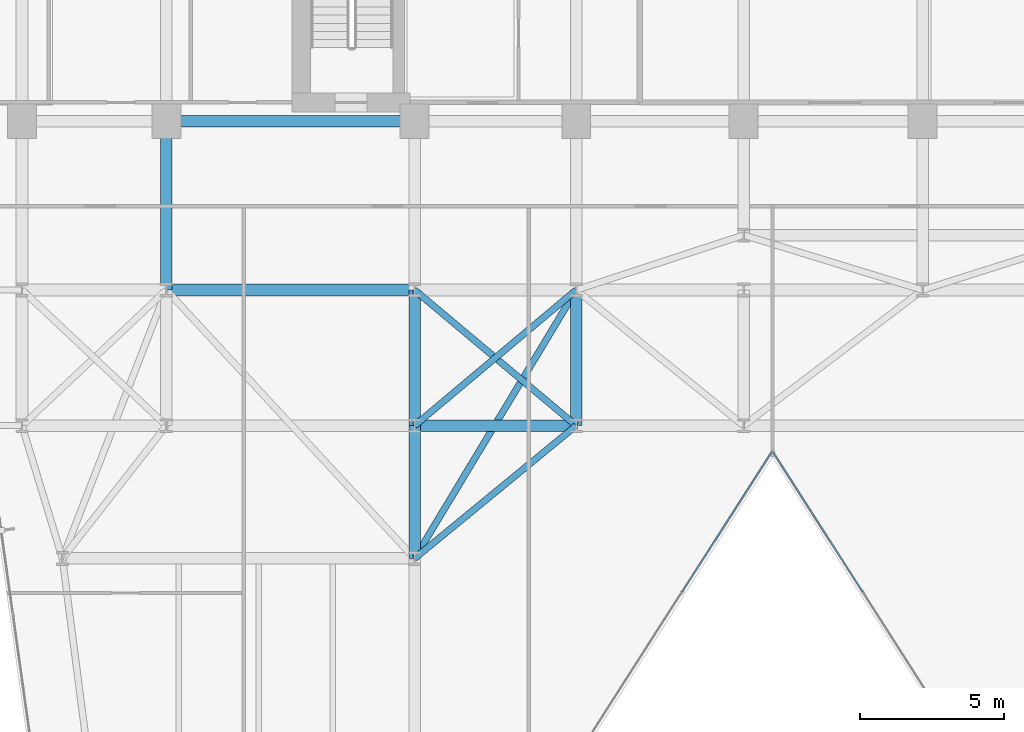
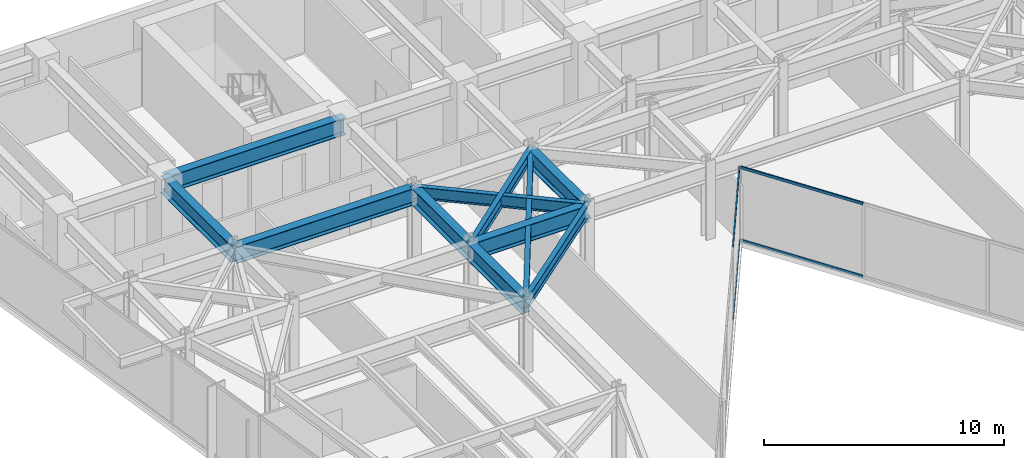
# One storey, part 12 of 26: 11 beams, 4 members, 2 elements without a shape of their own.
"""IFC4 building model written with IfcOpenShell, lengths in metres."""

from ifc_helpers import new_model, si_unit, direction, frame, origin, origin_2d, place, context, subcontext, project, spatial, hollow_rectangle, i_section, extrude, material, layer, layer_set, material_profile, profile_set, type_object, element, aggregate, save


model = new_model("IFC4")

# Units and contexts
model_context = context("Model", 3, precision=1e-05, world=origin(), true_north=direction((0.0, 1.0)))
body_context = subcontext(model_context, "Body", "Model", "MODEL_VIEW")
ifc_project = project(units=[si_unit("LENGTHUNIT", "METRE"), si_unit("AREAUNIT", "SQUARE_METRE"), si_unit("VOLUMEUNIT", "CUBIC_METRE"), si_unit("PLANEANGLEUNIT", "RADIAN"), si_unit("MASSUNIT", "GRAM", prefix="KILO")], contexts=[model_context])

# Site, building, storey
site_placement = place(None, origin())
site = spatial("IfcSite", under=ifc_project, at=site_placement, CompositionType="ELEMENT")
building_placement = place(site_placement, origin())
building = spatial("IfcBuilding", under=site, at=building_placement, Name="Kravanh Interchange Tower", CompositionType="ELEMENT")
storey_placement = place(building_placement, frame((0.0, 0.0, 100.0)))
storey = spatial("IfcBuildingStorey", under=building, at=storey_placement, Name="L23", CompositionType="ELEMENT", Elevation=100.0)

# Curtain wall, members
ifc_material_1 = material(Name="Anodised Bronze Aluminium", Category="aluminium")
ifc_layer = layer(ifc_material_1, 0.179931640625)
ifc_layer_set = layer_set([ifc_layer], Name="Unitised Curtain Wall System CW-Z2 Mid Office")
curtain_wall_type = type_object("IfcCurtainWallType", Name="Unitised Curtain Wall System CW-Z2 Mid Office", PredefinedType="NOTDEFINED", material=ifc_layer_set)
curtain_wall_1_placement = place(storey_placement, origin())
curtain_wall_1 = element("IfcCurtainWall", 1, at=curtain_wall_1_placement, inside=storey, type_object=curtain_wall_type, Name="L23 Unitised Curtain Wall CW-L23-04", PredefinedType="NOTDEFINED")
ifc_material_2 = material(Name="Anodised Bronze Aluminium", Category="aluminium")
ifc_material_profile_1 = material_profile(ifc_material_2, hollow_rectangle(XDim=0.06005859375, YDim=0.139892578125, WallThickness=0.00390625, at=origin_2d()), Name="ALU60X140X4")
ifc_profile_set_1 = profile_set([ifc_material_profile_1], Name="Anodised Bronze Aluminium")
member_type = type_object("IfcMemberType", Name="Curtain Wall Transom ALU60X140X4 Bronze", PredefinedType="USERDEFINED", material=ifc_profile_set_1)
member_1_placement = place(storey_placement, frame((42.72509765625, 21.047119140625, 0.030029296875), z_axis=(-0.53966766312, 0.841878146398, 0.0), x_axis=(-0.841878146398, -0.53966766312, 0.0)))
member_1 = element("IfcMember", 2, at=member_1_placement, type_object=member_type, Name="CW-Z2 transom 4.1", ObjectType="TRANSOM", PredefinedType="USERDEFINED", context=body_context, shape_type="SweptSolid", body=[
    extrude(hollow_rectangle(XDim=0.06005859375, YDim=0.139892578125, WallThickness=0.00390625, at=origin_2d()), origin(), (0.0, 0.0, 1.0), 5.73095703125),
])
member_2_placement = place(storey_placement, frame((42.72509765625, 21.047119140625, 3.719970703125), z_axis=(-0.53966766312, 0.841878146398, 0.0), x_axis=(-0.841878146398, -0.53966766312, 0.0)))
member_2 = element("IfcMember", 3, at=member_2_placement, type_object=member_type, Name="CW-Z2 transom 4.2", ObjectType="TRANSOM", PredefinedType="USERDEFINED", context=body_context, shape_type="SweptSolid", body=[
    extrude(hollow_rectangle(XDim=0.06005859375, YDim=0.139892578125, WallThickness=0.00390625, at=origin_2d()), origin(), (0.0, 0.0, 1.0), 5.73095703125),
])
aggregate(curtain_wall_1, [member_1, member_2])

curtain_wall_2_placement = place(storey_placement, origin())
curtain_wall_2 = element("IfcCurtainWall", 4, at=curtain_wall_2_placement, inside=storey, type_object=curtain_wall_type, Name="L23 Unitised Curtain Wall CW-L23-05", PredefinedType="NOTDEFINED")
member_3_placement = place(storey_placement, frame((39.567626953125, 25.871826171875, 0.030029296875), z_axis=(-0.53966766312, -0.841878146398, 0.0), x_axis=(0.841878146398, -0.53966766312, 0.0)))
member_3 = element("IfcMember", 5, at=member_3_placement, type_object=member_type, Name="CW-Z2 transom 1.1", ObjectType="TRANSOM", PredefinedType="USERDEFINED", context=body_context, shape_type="SweptSolid", body=[
    extrude(hollow_rectangle(XDim=0.06005859375, YDim=0.139892578125, WallThickness=0.00390625, at=origin_2d()), origin(), (0.0, 0.0, 1.0), 5.73095703125),
])
member_4_placement = place(storey_placement, frame((39.567626953125, 25.871826171875, 3.719970703125), z_axis=(-0.53966766312, -0.841878146398, 0.0), x_axis=(0.841878146398, -0.53966766312, 0.0)))
member_4 = element("IfcMember", 6, at=member_4_placement, type_object=member_type, Name="CW-Z2 transom 1.2", ObjectType="TRANSOM", PredefinedType="USERDEFINED", context=body_context, shape_type="SweptSolid", body=[
    extrude(hollow_rectangle(XDim=0.06005859375, YDim=0.139892578125, WallThickness=0.00390625, at=origin_2d()), origin(), (0.0, 0.0, 1.0), 5.73095703125),
])
aggregate(curtain_wall_2, [member_3, member_4])

# Beams
ifc_material_3 = material(Name="Structural Steel S355", Category="steel")
ifc_material_profile_2 = material_profile(ifc_material_3, i_section(OverallWidth=0.39990234375, OverallDepth=0.85595703125, WebThickness=0.018310546875, FlangeThickness=0.029296875, FilletRadius=0.02490234375, at=origin_2d()), Name="W33X201")
ifc_profile_set_2 = profile_set([ifc_material_profile_2], Name="Structural Steel S355")
beam_type_1 = type_object("IfcBeamType", Name="Floor Beam W33X201 Structural Steel S355", PredefinedType="BEAM", material=ifc_profile_set_2)
beam_1_placement = place(storey_placement, frame((27.199951171875, 37.35009765625, 3.322021484375), z_axis=(-1.0, 0.0, 0.0), x_axis=(0.0, -1.0, 0.0)))
element("IfcBeam", 7, at=beam_1_placement, inside=storey, type_object=beam_type_1, Name="L23 Primary Floor Girder 25", PredefinedType="BEAM", context=body_context, shape_type="SweptSolid", body=[
    extrude(i_section(OverallWidth=0.39990234375, OverallDepth=0.85595703125, WebThickness=0.018310546875, FlangeThickness=0.029296875, FilletRadius=0.02490234375, at=origin_2d()), origin(), (0.0, 0.0, 1.0), 8.599853515625),
])
beam_2_placement = place(storey_placement, frame((18.60009765625, 37.35009765625, 3.322021484375), z_axis=(0.0, -1.0, 0.0), x_axis=(1.0, 0.0, 0.0)))
element("IfcBeam", 8, at=beam_2_placement, inside=storey, type_object=beam_type_1, Name="L23 Primary Floor Girder 29", PredefinedType="BEAM", context=body_context, shape_type="SweptSolid", body=[
    extrude(i_section(OverallWidth=0.39990234375, OverallDepth=0.85595703125, WebThickness=0.018310546875, FlangeThickness=0.029296875, FilletRadius=0.02490234375, at=origin_2d()), origin(), (0.0, 0.0, 1.0), 5.85009765625),
])
beam_3_placement = place(storey_placement, frame((27.199951171875, 26.800048828125, 3.322021484375), z_axis=(0.0, -1.0, 0.0), x_axis=(1.0, 0.0, 0.0)))
element("IfcBeam", 9, at=beam_3_placement, inside=storey, type_object=beam_type_1, Name="L23 Primary Floor Girder 45", PredefinedType="BEAM", context=body_context, shape_type="SweptSolid", body=[
    extrude(i_section(OverallWidth=0.39990234375, OverallDepth=0.85595703125, WebThickness=0.018310546875, FlangeThickness=0.029296875, FilletRadius=0.02490234375, at=origin_2d()), origin(), (0.0, 0.0, 1.0), 4.60009765625),
])
beam_4_placement = place(storey_placement, frame((27.199951171875, 26.800048828125, 3.322021484375), z_axis=(0.0, 1.0, 0.0), x_axis=(-1.0, 0.0, 0.0)))
element("IfcBeam", 10, at=beam_4_placement, inside=storey, type_object=beam_type_1, Name="L23 Primary Floor Girder 46", PredefinedType="BEAM", context=body_context, shape_type="SweptSolid", body=[
    extrude(i_section(OverallWidth=0.39990234375, OverallDepth=0.85595703125, WebThickness=0.018310546875, FlangeThickness=0.029296875, FilletRadius=0.02490234375, at=origin_2d()), origin(), (0.0, 0.0, 1.0), 4.699951171875),
])
beam_5_placement = place(storey_placement, frame((27.199951171875, 26.800048828125, 3.322021484375), z_axis=(1.0, 0.0, 0.0), x_axis=(0.0, 1.0, 0.0)))
element("IfcBeam", 11, at=beam_5_placement, inside=storey, type_object=beam_type_1, Name="L23 Primary Floor Girder 47", PredefinedType="BEAM", context=body_context, shape_type="SweptSolid", body=[
    extrude(i_section(OverallWidth=0.39990234375, OverallDepth=0.85595703125, WebThickness=0.018310546875, FlangeThickness=0.029296875, FilletRadius=0.02490234375, at=origin_2d()), origin(), (0.0, 0.0, 1.0), 5.60009765625),
])
beam_6_placement = place(storey_placement, frame((32.800048828125, 26.800048828125, 3.322021484375), z_axis=(0.0, 1.0, 0.0), x_axis=(-1.0, 0.0, 0.0)))
element("IfcBeam", 12, at=beam_6_placement, inside=storey, type_object=beam_type_1, Name="L23 Primary Floor Girder 49", PredefinedType="BEAM", context=body_context, shape_type="SweptSolid", body=[
    extrude(i_section(OverallWidth=0.39990234375, OverallDepth=0.85595703125, WebThickness=0.018310546875, FlangeThickness=0.029296875, FilletRadius=0.02490234375, at=origin_2d()), origin(), (0.0, 0.0, 1.0), 4.699951171875),
])
beam_7_placement = place(storey_placement, frame((18.60009765625, 31.5, 3.322021484375), z_axis=(1.0, 0.0, 0.0), x_axis=(0.0, 1.0, 0.0)))
element("IfcBeam", 13, at=beam_7_placement, inside=storey, type_object=beam_type_1, Name="L23 Primary Floor Girder 71", PredefinedType="BEAM", context=body_context, shape_type="SweptSolid", body=[
    extrude(i_section(OverallWidth=0.39990234375, OverallDepth=0.85595703125, WebThickness=0.018310546875, FlangeThickness=0.029296875, FilletRadius=0.02490234375, at=origin_2d()), origin(), (0.0, 0.0, 1.0), 8.599853515625),
])
ifc_material_4 = material(Name="Structural Steel S355", Category="steel")
ifc_material_profile_3 = material_profile(ifc_material_4, i_section(OverallWidth=0.22802734375, OverallDepth=0.60791015625, WebThickness=0.01123046875, FlangeThickness=0.017333984375, FilletRadius=0.02197265625, at=origin_2d()), Name="W24X76")
ifc_profile_set_3 = profile_set([ifc_material_profile_3], Name="Structural Steel S355")
beam_type_2 = type_object("IfcBeamType", Name="Floor Spandrel W24X76 Structural Steel S355", PredefinedType="SPANDREL", material=ifc_profile_set_3)
beam_8_placement = place(storey_placement, frame((27.199951171875, 26.800048828125, 3.446044921875), z_axis=(0.765983062929, 0.642860752657, 0.0), x_axis=(-0.642860752657, 0.765983062929, 0.0)))
element("IfcBeam", 14, at=beam_8_placement, inside=storey, type_object=beam_type_2, Name="L23 Perimeter Spandrel 48", PredefinedType="SPANDREL", context=body_context, shape_type="SweptSolid", body=[
    extrude(i_section(OverallWidth=0.22802734375, OverallDepth=0.60791015625, WebThickness=0.01123046875, FlangeThickness=0.017333984375, FilletRadius=0.02197265625, at=origin_2d()), origin(), (0.0, 0.0, 1.0), 7.31103515625),
])
beam_9_placement = place(storey_placement, frame((32.800048828125, 26.800048828125, 3.446044921875), z_axis=(-0.772725074305, -0.634740860147, 0.0), x_axis=(0.634740860147, -0.772725074305, 0.0)))
element("IfcBeam", 15, at=beam_9_placement, inside=storey, type_object=beam_type_2, Name="L23 Perimeter Spandrel 51", PredefinedType="SPANDREL", context=body_context, shape_type="SweptSolid", body=[
    extrude(i_section(OverallWidth=0.22802734375, OverallDepth=0.60791015625, WebThickness=0.01123046875, FlangeThickness=0.017333984375, FilletRadius=0.02197265625, at=origin_2d()), origin(), (0.0, 0.0, 1.0), 7.247314453125),
])
beam_10_placement = place(storey_placement, frame((32.800048828125, 26.800048828125, 3.446044921875), z_axis=(-0.765983062929, 0.642860752657, 0.0), x_axis=(-0.642860752657, -0.765983062929, 0.0)))
element("IfcBeam", 16, at=beam_10_placement, inside=storey, type_object=beam_type_2, Name="L23 Perimeter Spandrel 52", PredefinedType="SPANDREL", context=body_context, shape_type="SweptSolid", body=[
    extrude(i_section(OverallWidth=0.22802734375, OverallDepth=0.60791015625, WebThickness=0.01123046875, FlangeThickness=0.017333984375, FilletRadius=0.02197265625, at=origin_2d()), origin(), (0.0, 0.0, 1.0), 7.31103515625),
])
beam_11_placement = place(storey_placement, frame((32.800048828125, 31.5, 3.446044921875), z_axis=(-0.515854375109, -0.856676288735, 0.0), x_axis=(0.856676288735, -0.515854375109, 0.0)))
element("IfcBeam", 17, at=beam_11_placement, inside=storey, type_object=beam_type_2, Name="L23 Perimeter Spandrel 80", PredefinedType="SPANDREL", context=body_context, shape_type="SweptSolid", body=[
    extrude(i_section(OverallWidth=0.22802734375, OverallDepth=0.60791015625, WebThickness=0.01123046875, FlangeThickness=0.017333984375, FilletRadius=0.02197265625, at=origin_2d()), origin(), (0.0, 0.0, 1.0), 10.85595703125),
])

save(model, "model.ifc")
